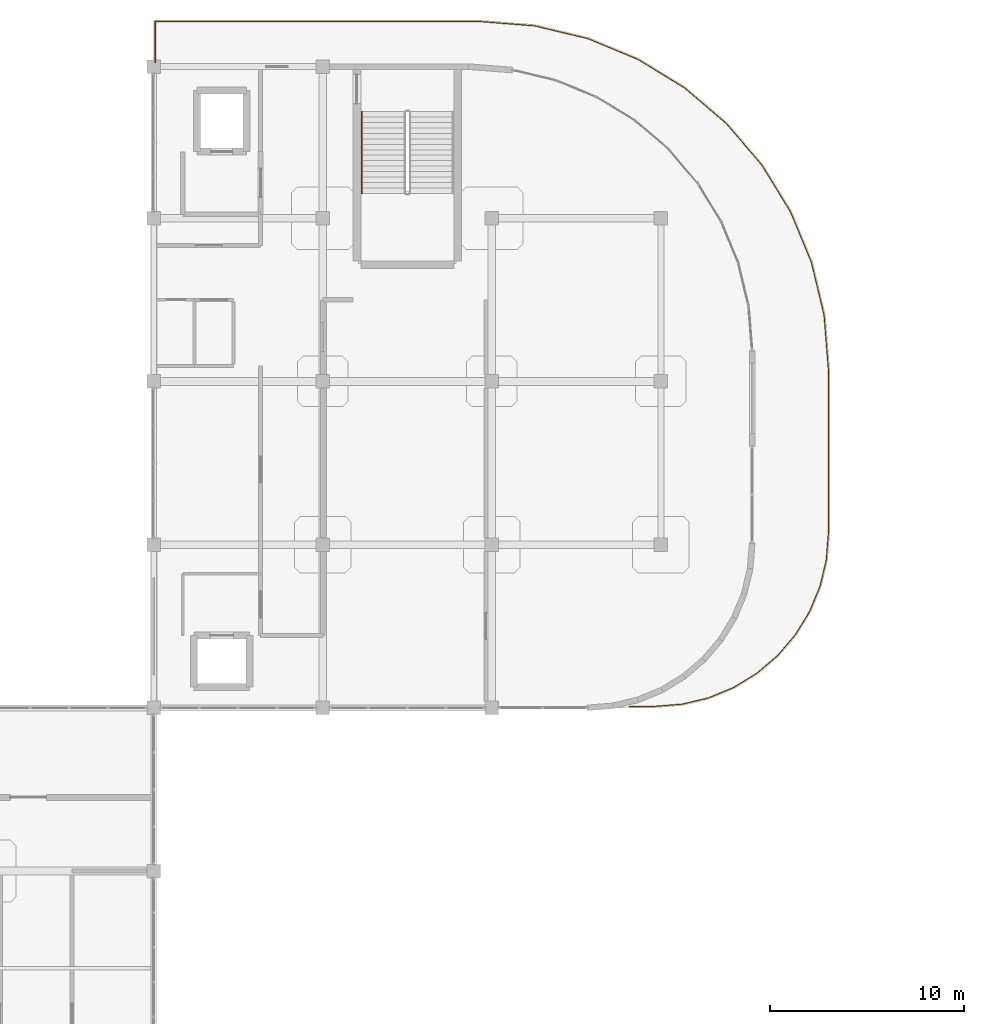
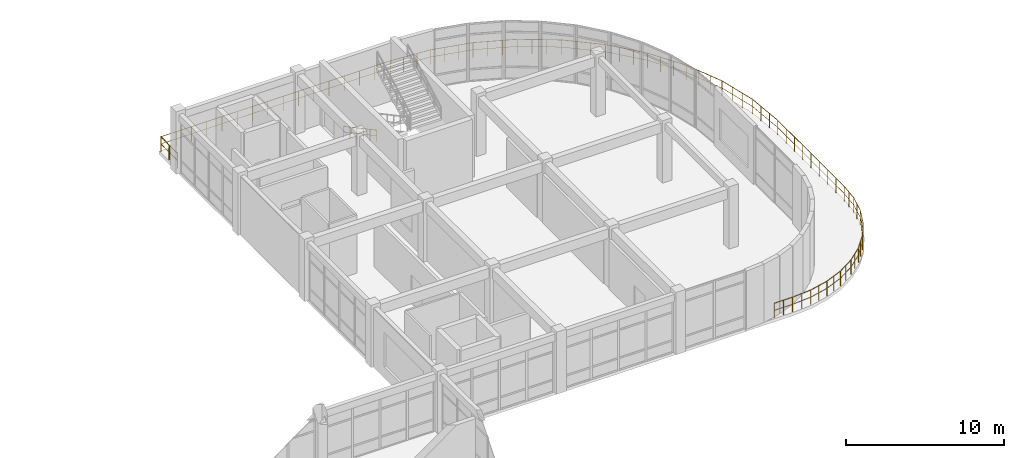
# One storey, part 74 of 76: 3 railings.
"""IFC4 building model written with IfcOpenShell, lengths in metres."""

from ifc_helpers import new_model, si_unit, derived_unit, direction, frame, origin, origin_2d, place, context, subcontext, project, spatial, circle, extrude, material, type_object, element, save


model = new_model("IFC4")

# Units and contexts
model_context = context("Model", 3, precision=1e-05, world=origin(), true_north=direction((0.0, 1.0)))
body_context = subcontext(model_context, "Body", "Model", "MODEL_VIEW")
ifc_project = project(units=[si_unit("LENGTHUNIT", "METRE"), si_unit("AREAUNIT", "SQUARE_METRE"), si_unit("VOLUMEUNIT", "CUBIC_METRE"), si_unit("PLANEANGLEUNIT", "RADIAN"), si_unit("MASSUNIT", "GRAM", prefix="KILO"), derived_unit("THERMALTRANSMITTANCEUNIT", [(si_unit("MASSUNIT", "GRAM", prefix="KILO"), 1), (si_unit("TIMEUNIT", "SECOND"), -3), (si_unit("THERMODYNAMICTEMPERATUREUNIT", "KELVIN"), -1)])], contexts=[model_context])

# Site, building, storey
site_placement = place(None, origin())
site = spatial("IfcSite", under=ifc_project, at=site_placement, CompositionType="ELEMENT")
building_placement = place(site_placement, origin())
building = spatial("IfcBuilding", under=site, at=building_placement, Name="Qinzheling Arcade Emporium", CompositionType="ELEMENT")
storey_placement = place(building_placement, frame((0.0, 0.0, 26.699951171875)))
storey = spatial("IfcBuildingStorey", under=building, at=storey_placement, Name="L06", CompositionType="ELEMENT", Elevation=26.699951171875)

# Railings
ifc_material_1 = material(Name="Architectural bronze rail and laminated safety glass", Category="glass")
railing_type_1 = type_object("IfcRailingType", Name="Curved Terrace Laminated Glass and Bronze Balustrade 1150", PredefinedType="BALUSTRADE", material=ifc_material_1)
railing_1_placement = place(storey_placement, frame((104.47998046875, 109.1201171875, 0.0)))
element("IfcRailing", 1, at=railing_1_placement, inside=storey, type_object=railing_type_1, Name="Terrace Balustrade RLG-TER-L06-016", PredefinedType="BALUSTRADE", context=body_context, shape_type="SweptSolid", body=[
    extrude(circle(Radius=0.02392578125, at=origin_2d()), frame((0.0, 0.0, 1.1259765625), z_axis=(1.0, 0.0, 0.0), x_axis=(0.0, 1.0, 0.0)), (0.0, 0.0, 1.0), 16.717041015625),
    extrude(circle(Radius=0.01611328125, at=origin_2d()), frame((0.0, 0.0, 0.574951171875), z_axis=(1.0, 0.0, 0.0), x_axis=(0.0, 1.0, 0.0)), (0.0, 0.0, 1.0), 16.717041015625),
    extrude(circle(Radius=0.02392578125, at=origin_2d()), frame((16.717041015625, 0.0, 1.1259765625), z_axis=(0.996907275649, -0.078586791241, 0.0), x_axis=(0.078586791241, 0.996907275649, 0.0)), (0.0, 0.0, 1.0), 2.814697265625),
    extrude(circle(Radius=0.01611328125, at=origin_2d()), frame((16.717041015625, 0.0, 0.574951171875), z_axis=(0.996907275649, -0.078586791241, 0.0), x_axis=(0.078586791241, 0.996907275649, 0.0)), (0.0, 0.0, 1.0), 2.814697265625),
    extrude(circle(Radius=0.02392578125, at=origin_2d()), frame((19.52294921875, -0.22119140625, 1.1259765625), z_axis=(0.972402275092, -0.23331055569, 0.0), x_axis=(0.23331055569, 0.972402275092, 0.0)), (0.0, 0.0, 1.0), 2.811767578125),
    extrude(circle(Radius=0.01611328125, at=origin_2d()), frame((19.52294921875, -0.22119140625, 0.574951171875), z_axis=(0.972402275092, -0.23331055569, 0.0), x_axis=(0.23331055569, 0.972402275092, 0.0)), (0.0, 0.0, 1.0), 2.811767578125),
    extrude(circle(Radius=0.02392578125, at=origin_2d()), frame((22.257080078125, -0.877197265625, 1.1259765625), z_axis=(0.923950200877, -0.382512779264, 0.0), x_axis=(0.382512779264, 0.923950200877, 0.0)), (0.0, 0.0, 1.0), 2.812744140625),
    extrude(circle(Radius=0.01611328125, at=origin_2d()), frame((22.257080078125, -0.877197265625, 0.574951171875), z_axis=(0.923950200877, -0.382512779264, 0.0), x_axis=(0.382512779264, 0.923950200877, 0.0)), (0.0, 0.0, 1.0), 2.812744140625),
    extrude(circle(Radius=0.02392578125, at=origin_2d()), frame((24.85595703125, -1.953125, 1.1259765625), z_axis=(0.852465203682, -0.522783967343, 0.0), x_axis=(0.522783967343, 0.852465203682, 0.0)), (0.0, 0.0, 1.0), 2.811767578125),
    extrude(circle(Radius=0.01611328125, at=origin_2d()), frame((24.85595703125, -1.953125, 0.574951171875), z_axis=(0.852465203682, -0.522783967343, 0.0), x_axis=(0.522783967343, 0.852465203682, 0.0)), (0.0, 0.0, 1.0), 2.811767578125),
    extrude(circle(Radius=0.02392578125, at=origin_2d()), frame((27.2529296875, -3.423095703125, 1.1259765625), z_axis=(0.760450500956, -0.649395900508, 0.0), x_axis=(0.649395900508, 0.760450500956, 0.0)), (0.0, 0.0, 1.0), 2.811767578125),
    extrude(circle(Radius=0.01611328125, at=origin_2d()), frame((27.2529296875, -3.423095703125, 0.574951171875), z_axis=(0.760450500956, -0.649395900508, 0.0), x_axis=(0.649395900508, 0.760450500956, 0.0)), (0.0, 0.0, 1.0), 2.811767578125),
    extrude(circle(Radius=0.02392578125, at=origin_2d()), frame((29.39111328125, -5.2490234375, 1.1259765625), z_axis=(0.649395900508, -0.760450500956, 0.0), x_axis=(0.760450500956, 0.649395900508, 0.0)), (0.0, 0.0, 1.0), 2.811767578125),
    extrude(circle(Radius=0.01611328125, at=origin_2d()), frame((29.39111328125, -5.2490234375, 0.574951171875), z_axis=(0.649395900508, -0.760450500956, 0.0), x_axis=(0.760450500956, 0.649395900508, 0.0)), (0.0, 0.0, 1.0), 2.811767578125),
    extrude(circle(Radius=0.02392578125, at=origin_2d()), frame((31.217041015625, -7.38720703125, 1.1259765625), z_axis=(0.522783967343, -0.852465203682, 0.0), x_axis=(0.852465203682, 0.522783967343, 0.0)), (0.0, 0.0, 1.0), 2.811767578125),
    extrude(circle(Radius=0.01611328125, at=origin_2d()), frame((31.217041015625, -7.38720703125, 0.574951171875), z_axis=(0.522783967343, -0.852465203682, 0.0), x_axis=(0.852465203682, 0.522783967343, 0.0)), (0.0, 0.0, 1.0), 2.811767578125),
    extrude(circle(Radius=0.02392578125, at=origin_2d()), frame((32.68701171875, -9.7841796875, 1.1259765625), z_axis=(0.382512779264, -0.923950200877, 0.0), x_axis=(0.923950200877, 0.382512779264, 0.0)), (0.0, 0.0, 1.0), 2.812744140625),
    extrude(circle(Radius=0.01611328125, at=origin_2d()), frame((32.68701171875, -9.7841796875, 0.574951171875), z_axis=(0.382512779264, -0.923950200877, 0.0), x_axis=(0.923950200877, 0.382512779264, 0.0)), (0.0, 0.0, 1.0), 2.812744140625),
    extrude(circle(Radius=0.02392578125, at=origin_2d()), frame((33.762939453125, -12.383056640625, 1.1259765625), z_axis=(0.23331055569, -0.972402275092, 0.0), x_axis=(0.972402275092, 0.23331055569, 0.0)), (0.0, 0.0, 1.0), 2.811767578125),
    extrude(circle(Radius=0.01611328125, at=origin_2d()), frame((33.762939453125, -12.383056640625, 0.574951171875), z_axis=(0.23331055569, -0.972402275092, 0.0), x_axis=(0.972402275092, 0.23331055569, 0.0)), (0.0, 0.0, 1.0), 2.811767578125),
    extrude(circle(Radius=0.02392578125, at=origin_2d()), frame((34.4189453125, -15.1171875, 1.1259765625), z_axis=(0.078586791241, -0.996907275649, 0.0), x_axis=(0.996907275649, 0.078586791241, 0.0)), (0.0, 0.0, 1.0), 2.814697265625),
    extrude(circle(Radius=0.01611328125, at=origin_2d()), frame((34.4189453125, -15.1171875, 0.574951171875), z_axis=(0.078586791241, -0.996907275649, 0.0), x_axis=(0.996907275649, 0.078586791241, 0.0)), (0.0, 0.0, 1.0), 2.814697265625),
    extrude(circle(Radius=0.02392578125, at=origin_2d()), frame((34.64013671875, -17.923095703125, 1.1259765625), z_axis=(0.0, -1.0, 0.0), x_axis=(1.0, 0.0, 0.0)), (0.0, 0.0, 1.0), 8.39404296875),
    extrude(circle(Radius=0.01611328125, at=origin_2d()), frame((34.64013671875, -17.923095703125, 0.574951171875), z_axis=(0.0, -1.0, 0.0), x_axis=(1.0, 0.0, 0.0)), (0.0, 0.0, 1.0), 8.39404296875),
    extrude(circle(Radius=0.02392578125, at=origin_2d()), frame((34.64013671875, -26.317138671875, 1.1259765625), z_axis=(-0.078520353189, -0.996912510773, 0.0), x_axis=(0.996912510773, -0.078520353189, 0.0)), (0.0, 0.0, 1.0), 1.40234375),
    extrude(circle(Radius=0.01611328125, at=origin_2d()), frame((34.64013671875, -26.317138671875, 0.574951171875), z_axis=(-0.078520353189, -0.996912510773, 0.0), x_axis=(0.996912510773, -0.078520353189, 0.0)), (0.0, 0.0, 1.0), 1.40234375),
    extrude(circle(Radius=0.02392578125, at=origin_2d()), frame((34.530029296875, -27.715087890625, 1.1259765625), z_axis=(-0.23287810231, -0.972505932868, 0.0), x_axis=(0.972505932868, -0.23287810231, 0.0)), (0.0, 0.0, 1.0), 1.399658203125),
    extrude(circle(Radius=0.01611328125, at=origin_2d()), frame((34.530029296875, -27.715087890625, 0.574951171875), z_axis=(-0.23287810231, -0.972505932868, 0.0), x_axis=(0.972505932868, -0.23287810231, 0.0)), (0.0, 0.0, 1.0), 1.399658203125),
    extrude(circle(Radius=0.02392578125, at=origin_2d()), frame((34.2041015625, -29.076171875, 1.1259765625), z_axis=(-0.38278283439, -0.923838352579, 0.0), x_axis=(0.923838352579, -0.38278283439, 0.0)), (0.0, 0.0, 1.0), 1.400634765625),
    extrude(circle(Radius=0.01611328125, at=origin_2d()), frame((34.2041015625, -29.076171875, 0.574951171875), z_axis=(-0.38278283439, -0.923838352579, 0.0), x_axis=(0.923838352579, -0.38278283439, 0.0)), (0.0, 0.0, 1.0), 1.400634765625),
    extrude(circle(Radius=0.02392578125, at=origin_2d()), frame((33.66796875, -30.3701171875, 1.1259765625), z_axis=(-0.522909666066, -0.852388104759, 0.0), x_axis=(0.852388104759, -0.522909666066, 0.0)), (0.0, 0.0, 1.0), 1.399658203125),
    extrude(circle(Radius=0.01611328125, at=origin_2d()), frame((33.66796875, -30.3701171875, 0.574951171875), z_axis=(-0.522909666066, -0.852388104759, 0.0), x_axis=(0.852388104759, -0.522909666066, 0.0)), (0.0, 0.0, 1.0), 1.399658203125),
    extrude(circle(Radius=0.02392578125, at=origin_2d()), frame((32.93603515625, -31.563232421875, 1.1259765625), z_axis=(-0.649540487032, -0.760327005772, 0.0), x_axis=(0.760327005772, -0.649540487032, 0.0)), (0.0, 0.0, 1.0), 1.3994140625),
    extrude(circle(Radius=0.01611328125, at=origin_2d()), frame((32.93603515625, -31.563232421875, 0.574951171875), z_axis=(-0.649540487032, -0.760327005772, 0.0), x_axis=(0.760327005772, -0.649540487032, 0.0)), (0.0, 0.0, 1.0), 1.3994140625),
    extrude(circle(Radius=0.02392578125, at=origin_2d()), frame((32.027099609375, -32.627197265625, 1.1259765625), z_axis=(-0.760327005772, -0.649540487032, 0.0), x_axis=(0.649540487032, -0.760327005772, 0.0)), (0.0, 0.0, 1.0), 1.3994140625),
    extrude(circle(Radius=0.01611328125, at=origin_2d()), frame((32.027099609375, -32.627197265625, 0.574951171875), z_axis=(-0.760327005772, -0.649540487032, 0.0), x_axis=(0.649540487032, -0.760327005772, 0.0)), (0.0, 0.0, 1.0), 1.3994140625),
    extrude(circle(Radius=0.02392578125, at=origin_2d()), frame((30.963134765625, -33.5361328125, 1.1259765625), z_axis=(-0.852388104759, -0.522909666066, 0.0), x_axis=(0.522909666066, -0.852388104759, 0.0)), (0.0, 0.0, 1.0), 1.399658203125),
    extrude(circle(Radius=0.01611328125, at=origin_2d()), frame((30.963134765625, -33.5361328125, 0.574951171875), z_axis=(-0.852388104759, -0.522909666066, 0.0), x_axis=(0.522909666066, -0.852388104759, 0.0)), (0.0, 0.0, 1.0), 1.399658203125),
    extrude(circle(Radius=0.02392578125, at=origin_2d()), frame((29.77001953125, -34.26806640625, 1.1259765625), z_axis=(-0.923838352579, -0.38278283439, 0.0), x_axis=(0.38278283439, -0.923838352579, 0.0)), (0.0, 0.0, 1.0), 1.400634765625),
    extrude(circle(Radius=0.01611328125, at=origin_2d()), frame((29.77001953125, -34.26806640625, 0.574951171875), z_axis=(-0.923838352579, -0.38278283439, 0.0), x_axis=(0.38278283439, -0.923838352579, 0.0)), (0.0, 0.0, 1.0), 1.400634765625),
    extrude(circle(Radius=0.02392578125, at=origin_2d()), frame((28.47607421875, -34.80419921875, 1.1259765625), z_axis=(-0.972505932868, -0.23287810231, 0.0), x_axis=(0.23287810231, -0.972505932868, 0.0)), (0.0, 0.0, 1.0), 1.399658203125),
    extrude(circle(Radius=0.01611328125, at=origin_2d()), frame((28.47607421875, -34.80419921875, 0.574951171875), z_axis=(-0.972505932868, -0.23287810231, 0.0), x_axis=(0.23287810231, -0.972505932868, 0.0)), (0.0, 0.0, 1.0), 1.399658203125),
    extrude(circle(Radius=0.02392578125, at=origin_2d()), frame((27.114990234375, -35.130126953125, 1.1259765625), z_axis=(-0.996912510773, -0.078520353189, 0.0), x_axis=(0.078520353189, -0.996912510773, 0.0)), (0.0, 0.0, 1.0), 1.40234375),
    extrude(circle(Radius=0.01611328125, at=origin_2d()), frame((27.114990234375, -35.130126953125, 0.574951171875), z_axis=(-0.996912510773, -0.078520353189, 0.0), x_axis=(0.078520353189, -0.996912510773, 0.0)), (0.0, 0.0, 1.0), 1.40234375),
    extrude(circle(Radius=0.02392578125, at=origin_2d()), frame((25.717041015625, -35.240234375, 1.1259765625), z_axis=(-1.0, 0.0, 0.0), x_axis=(0.0, -1.0, 0.0)), (0.0, 0.0, 1.0), 1.328125),
    extrude(circle(Radius=0.01611328125, at=origin_2d()), frame((25.717041015625, -35.240234375, 0.574951171875), z_axis=(-1.0, 0.0, 0.0), x_axis=(0.0, -1.0, 0.0)), (0.0, 0.0, 1.0), 1.328125),
    extrude(circle(Radius=0.02099609375, at=origin_2d()), origin(), (0.0, 0.0, 1.0), 1.101806640625),
    extrude(circle(Radius=0.02099609375, at=origin_2d()), frame((1.114501953125, 0.0, 0.0)), (0.0, 0.0, 1.0), 1.101806640625),
    extrude(circle(Radius=0.02099609375, at=origin_2d()), frame((2.22900390625, 0.0, 0.0)), (0.0, 0.0, 1.0), 1.101806640625),
    extrude(circle(Radius=0.02099609375, at=origin_2d()), frame((3.343505859375, 0.0, 0.0)), (0.0, 0.0, 1.0), 1.101806640625),
    extrude(circle(Radius=0.02099609375, at=origin_2d()), frame((4.457763671875, 0.0, 0.0)), (0.0, 0.0, 1.0), 1.101806640625),
    extrude(circle(Radius=0.02099609375, at=origin_2d()), frame((5.572265625, 0.0, 0.0)), (0.0, 0.0, 1.0), 1.101806640625),
    extrude(circle(Radius=0.02099609375, at=origin_2d()), frame((6.686767578125, 0.0, 0.0)), (0.0, 0.0, 1.0), 1.101806640625),
    extrude(circle(Radius=0.02099609375, at=origin_2d()), frame((7.80126953125, 0.0, 0.0)), (0.0, 0.0, 1.0), 1.101806640625),
    extrude(circle(Radius=0.02099609375, at=origin_2d()), frame((8.915771484375, 0.0, 0.0)), (0.0, 0.0, 1.0), 1.101806640625),
    extrude(circle(Radius=0.02099609375, at=origin_2d()), frame((10.0302734375, 0.0, 0.0)), (0.0, 0.0, 1.0), 1.101806640625),
    extrude(circle(Radius=0.02099609375, at=origin_2d()), frame((11.144775390625, 0.0, 0.0)), (0.0, 0.0, 1.0), 1.101806640625),
    extrude(circle(Radius=0.02099609375, at=origin_2d()), frame((12.25927734375, 0.0, 0.0)), (0.0, 0.0, 1.0), 1.101806640625),
    extrude(circle(Radius=0.02099609375, at=origin_2d()), frame((13.37353515625, 0.0, 0.0)), (0.0, 0.0, 1.0), 1.101806640625),
    extrude(circle(Radius=0.02099609375, at=origin_2d()), frame((14.488037109375, 0.0, 0.0)), (0.0, 0.0, 1.0), 1.101806640625),
    extrude(circle(Radius=0.02099609375, at=origin_2d()), frame((15.6025390625, 0.0, 0.0)), (0.0, 0.0, 1.0), 1.101806640625),
    extrude(circle(Radius=0.02099609375, at=origin_2d()), frame((16.717041015625, 0.0, 0.0)), (0.0, 0.0, 1.0), 1.101806640625),
    extrude(circle(Radius=0.02099609375, at=origin_2d()), frame((17.65234375, -0.07373046875, 0.0)), (0.0, 0.0, 1.0), 1.101806640625),
    extrude(circle(Radius=0.02099609375, at=origin_2d()), frame((18.587646484375, -0.1474609375, 0.0)), (0.0, 0.0, 1.0), 1.101806640625),
    extrude(circle(Radius=0.02099609375, at=origin_2d()), frame((19.52294921875, -0.22119140625, 0.0)), (0.0, 0.0, 1.0), 1.101806640625),
    extrude(circle(Radius=0.02099609375, at=origin_2d()), frame((20.434326171875, -0.43994140625, 0.0)), (0.0, 0.0, 1.0), 1.101806640625),
    extrude(circle(Radius=0.02099609375, at=origin_2d()), frame((21.345703125, -0.658447265625, 0.0)), (0.0, 0.0, 1.0), 1.101806640625),
    extrude(circle(Radius=0.02099609375, at=origin_2d()), frame((22.257080078125, -0.877197265625, 0.0)), (0.0, 0.0, 1.0), 1.101806640625),
    extrude(circle(Radius=0.02099609375, at=origin_2d()), frame((23.123291015625, -1.23583984375, 0.0)), (0.0, 0.0, 1.0), 1.101806640625),
    extrude(circle(Radius=0.02099609375, at=origin_2d()), frame((23.98974609375, -1.594482421875, 0.0)), (0.0, 0.0, 1.0), 1.101806640625),
    extrude(circle(Radius=0.02099609375, at=origin_2d()), frame((24.85595703125, -1.953125, 0.0)), (0.0, 0.0, 1.0), 1.101806640625),
    extrude(circle(Radius=0.02099609375, at=origin_2d()), frame((25.655029296875, -2.443115234375, 0.0)), (0.0, 0.0, 1.0), 1.101806640625),
    extrude(circle(Radius=0.02099609375, at=origin_2d()), frame((26.453857421875, -2.93310546875, 0.0)), (0.0, 0.0, 1.0), 1.101806640625),
    extrude(circle(Radius=0.02099609375, at=origin_2d()), frame((27.2529296875, -3.423095703125, 0.0)), (0.0, 0.0, 1.0), 1.101806640625),
    extrude(circle(Radius=0.02099609375, at=origin_2d()), frame((27.965576171875, -4.03173828125, 0.0)), (0.0, 0.0, 1.0), 1.101806640625),
    extrude(circle(Radius=0.02099609375, at=origin_2d()), frame((28.678466796875, -4.640380859375, 0.0)), (0.0, 0.0, 1.0), 1.101806640625),
    extrude(circle(Radius=0.02099609375, at=origin_2d()), frame((29.39111328125, -5.2490234375, 0.0)), (0.0, 0.0, 1.0), 1.101806640625),
    extrude(circle(Radius=0.02099609375, at=origin_2d()), frame((29.999755859375, -5.961669921875, 0.0)), (0.0, 0.0, 1.0), 1.101806640625),
    extrude(circle(Radius=0.02099609375, at=origin_2d()), frame((30.6083984375, -6.674560546875, 0.0)), (0.0, 0.0, 1.0), 1.101806640625),
    extrude(circle(Radius=0.02099609375, at=origin_2d()), frame((31.217041015625, -7.38720703125, 0.0)), (0.0, 0.0, 1.0), 1.101806640625),
    extrude(circle(Radius=0.02099609375, at=origin_2d()), frame((31.70703125, -8.186279296875, 0.0)), (0.0, 0.0, 1.0), 1.101806640625),
    extrude(circle(Radius=0.02099609375, at=origin_2d()), frame((32.197021484375, -8.985107421875, 0.0)), (0.0, 0.0, 1.0), 1.101806640625),
    extrude(circle(Radius=0.02099609375, at=origin_2d()), frame((32.68701171875, -9.7841796875, 0.0)), (0.0, 0.0, 1.0), 1.101806640625),
    extrude(circle(Radius=0.02099609375, at=origin_2d()), frame((33.045654296875, -10.650390625, 0.0)), (0.0, 0.0, 1.0), 1.101806640625),
    extrude(circle(Radius=0.02099609375, at=origin_2d()), frame((33.404296875, -11.516845703125, 0.0)), (0.0, 0.0, 1.0), 1.101806640625),
    extrude(circle(Radius=0.02099609375, at=origin_2d()), frame((33.762939453125, -12.383056640625, 0.0)), (0.0, 0.0, 1.0), 1.101806640625),
    extrude(circle(Radius=0.02099609375, at=origin_2d()), frame((33.981689453125, -13.29443359375, 0.0)), (0.0, 0.0, 1.0), 1.101806640625),
    extrude(circle(Radius=0.02099609375, at=origin_2d()), frame((34.2001953125, -14.205810546875, 0.0)), (0.0, 0.0, 1.0), 1.101806640625),
    extrude(circle(Radius=0.02099609375, at=origin_2d()), frame((34.4189453125, -15.1171875, 0.0)), (0.0, 0.0, 1.0), 1.101806640625),
    extrude(circle(Radius=0.02099609375, at=origin_2d()), frame((34.49267578125, -16.052490234375, 0.0)), (0.0, 0.0, 1.0), 1.101806640625),
    extrude(circle(Radius=0.02099609375, at=origin_2d()), frame((34.56640625, -16.98779296875, 0.0)), (0.0, 0.0, 1.0), 1.101806640625),
    extrude(circle(Radius=0.02099609375, at=origin_2d()), frame((34.64013671875, -17.923095703125, 0.0)), (0.0, 0.0, 1.0), 1.101806640625),
    extrude(circle(Radius=0.02099609375, at=origin_2d()), frame((34.64013671875, -18.972412109375, 0.0)), (0.0, 0.0, 1.0), 1.101806640625),
    extrude(circle(Radius=0.02099609375, at=origin_2d()), frame((34.64013671875, -20.021484375, 0.0)), (0.0, 0.0, 1.0), 1.101806640625),
    extrude(circle(Radius=0.02099609375, at=origin_2d()), frame((34.64013671875, -21.07080078125, 0.0)), (0.0, 0.0, 1.0), 1.101806640625),
    extrude(circle(Radius=0.02099609375, at=origin_2d()), frame((34.64013671875, -22.1201171875, 0.0)), (0.0, 0.0, 1.0), 1.101806640625),
    extrude(circle(Radius=0.02099609375, at=origin_2d()), frame((34.64013671875, -23.16943359375, 0.0)), (0.0, 0.0, 1.0), 1.101806640625),
    extrude(circle(Radius=0.02099609375, at=origin_2d()), frame((34.64013671875, -24.21875, 0.0)), (0.0, 0.0, 1.0), 1.101806640625),
    extrude(circle(Radius=0.02099609375, at=origin_2d()), frame((34.64013671875, -25.267822265625, 0.0)), (0.0, 0.0, 1.0), 1.101806640625),
    extrude(circle(Radius=0.02099609375, at=origin_2d()), frame((34.64013671875, -26.317138671875, 0.0)), (0.0, 0.0, 1.0), 1.101806640625),
    extrude(circle(Radius=0.02099609375, at=origin_2d()), frame((34.5849609375, -27.01611328125, 0.0)), (0.0, 0.0, 1.0), 1.101806640625),
    extrude(circle(Radius=0.02099609375, at=origin_2d()), frame((34.530029296875, -27.715087890625, 0.0)), (0.0, 0.0, 1.0), 1.101806640625),
    extrude(circle(Radius=0.02099609375, at=origin_2d()), frame((34.3671875, -28.3955078125, 0.0)), (0.0, 0.0, 1.0), 1.101806640625),
    extrude(circle(Radius=0.02099609375, at=origin_2d()), frame((34.2041015625, -29.076171875, 0.0)), (0.0, 0.0, 1.0), 1.101806640625),
    extrude(circle(Radius=0.02099609375, at=origin_2d()), frame((33.93603515625, -29.72314453125, 0.0)), (0.0, 0.0, 1.0), 1.101806640625),
    extrude(circle(Radius=0.02099609375, at=origin_2d()), frame((33.66796875, -30.3701171875, 0.0)), (0.0, 0.0, 1.0), 1.101806640625),
    extrude(circle(Radius=0.02099609375, at=origin_2d()), frame((33.302001953125, -30.966796875, 0.0)), (0.0, 0.0, 1.0), 1.101806640625),
    extrude(circle(Radius=0.02099609375, at=origin_2d()), frame((32.93603515625, -31.563232421875, 0.0)), (0.0, 0.0, 1.0), 1.101806640625),
    extrude(circle(Radius=0.02099609375, at=origin_2d()), frame((32.4814453125, -32.09521484375, 0.0)), (0.0, 0.0, 1.0), 1.101806640625),
    extrude(circle(Radius=0.02099609375, at=origin_2d()), frame((32.027099609375, -32.627197265625, 0.0)), (0.0, 0.0, 1.0), 1.101806640625),
    extrude(circle(Radius=0.02099609375, at=origin_2d()), frame((31.4951171875, -33.08154296875, 0.0)), (0.0, 0.0, 1.0), 1.101806640625),
    extrude(circle(Radius=0.02099609375, at=origin_2d()), frame((30.963134765625, -33.5361328125, 0.0)), (0.0, 0.0, 1.0), 1.101806640625),
    extrude(circle(Radius=0.02099609375, at=origin_2d()), frame((30.36669921875, -33.902099609375, 0.0)), (0.0, 0.0, 1.0), 1.101806640625),
    extrude(circle(Radius=0.02099609375, at=origin_2d()), frame((29.77001953125, -34.26806640625, 0.0)), (0.0, 0.0, 1.0), 1.101806640625),
    extrude(circle(Radius=0.02099609375, at=origin_2d()), frame((29.123046875, -34.5361328125, 0.0)), (0.0, 0.0, 1.0), 1.101806640625),
    extrude(circle(Radius=0.02099609375, at=origin_2d()), frame((28.47607421875, -34.80419921875, 0.0)), (0.0, 0.0, 1.0), 1.101806640625),
    extrude(circle(Radius=0.02099609375, at=origin_2d()), frame((27.79541015625, -34.96728515625, 0.0)), (0.0, 0.0, 1.0), 1.101806640625),
    extrude(circle(Radius=0.02099609375, at=origin_2d()), frame((27.114990234375, -35.130126953125, 0.0)), (0.0, 0.0, 1.0), 1.101806640625),
    extrude(circle(Radius=0.02099609375, at=origin_2d()), frame((26.416015625, -35.18505859375, 0.0)), (0.0, 0.0, 1.0), 1.101806640625),
    extrude(circle(Radius=0.02099609375, at=origin_2d()), frame((25.717041015625, -35.240234375, 0.0)), (0.0, 0.0, 1.0), 1.101806640625),
    extrude(circle(Radius=0.02099609375, at=origin_2d()), frame((25.052978515625, -35.240234375, 0.0)), (0.0, 0.0, 1.0), 1.101806640625),
    extrude(circle(Radius=0.02099609375, at=origin_2d()), frame((24.388916015625, -35.240234375, 0.0)), (0.0, 0.0, 1.0), 1.101806640625),
])
railing_2_placement = place(storey_placement, frame((104.47998046875, 107.02001953125, 0.0)))
element("IfcRailing", 2, at=railing_2_placement, inside=storey, type_object=railing_type_1, Name="Terrace Balustrade RLG-TER-L06-017", PredefinedType="BALUSTRADE", context=body_context, shape_type="SweptSolid", body=[
    extrude(circle(Radius=0.02392578125, at=origin_2d()), frame((0.0, 0.0, 1.1259765625), z_axis=(0.0, 1.0, 0.0), x_axis=(-1.0, 0.0, 0.0)), (0.0, 0.0, 1.0), 2.10009765625),
    extrude(circle(Radius=0.01611328125, at=origin_2d()), frame((0.0, 0.0, 0.574951171875), z_axis=(0.0, 1.0, 0.0), x_axis=(-1.0, 0.0, 0.0)), (0.0, 0.0, 1.0), 2.10009765625),
    extrude(circle(Radius=0.02099609375, at=origin_2d()), origin(), (0.0, 0.0, 1.0), 1.101806640625),
    extrude(circle(Radius=0.02099609375, at=origin_2d()), frame((0.0, 1.050048828125, 0.0)), (0.0, 0.0, 1.0), 1.101806640625),
    extrude(circle(Radius=0.02099609375, at=origin_2d()), frame((0.0, 2.10009765625, 0.0)), (0.0, 0.0, 1.0), 1.101806640625),
])
ifc_material_2 = material(Name="Brushed stainless steel 304", Category="steel")
railing_type_2 = type_object("IfcRailingType", Name="Stainless Steel Wall Handrail 900", PredefinedType="HANDRAIL", material=ifc_material_2)
railing_3_placement = place(storey_placement, frame((115.10498046875, 104.47998046875, 0.150146484375)))
element("IfcRailing", 3, at=railing_3_placement, inside=storey, type_object=railing_type_2, Name="L06 ST08 stair handrail 1", PredefinedType="HANDRAIL", context=body_context, shape_type="SweptSolid", body=[
    extrude(circle(Radius=0.02392578125, at=origin_2d()), frame((0.0, 0.0, 0.8759765625), z_axis=(0.0, -0.881477684796, 0.472225678258), x_axis=(1.0, 0.0, 0.0)), (0.0, 0.0, 1.0), 4.7646484375),
    extrude(circle(Radius=0.01611328125, at=origin_2d()), frame((0.0, 0.0, 0.449951171875), z_axis=(0.0, -0.881477684796, 0.472225678258), x_axis=(1.0, 0.0, 0.0)), (0.0, 0.0, 1.0), 4.7646484375),
    extrude(circle(Radius=0.02099609375, at=origin_2d()), origin(), (0.0, 0.0, 1.0), 0.851806640625),
    extrude(circle(Radius=0.02099609375, at=origin_2d()), frame((0.0, -0.840087890625, 0.449951171875)), (0.0, 0.0, 1.0), 0.851806640625),
    extrude(circle(Radius=0.02099609375, at=origin_2d()), frame((0.0, -1.679931640625, 0.89990234375)), (0.0, 0.0, 1.0), 0.851806640625),
    extrude(circle(Radius=0.02099609375, at=origin_2d()), frame((0.0, -2.52001953125, 1.35009765625)), (0.0, 0.0, 1.0), 0.851806640625),
    extrude(circle(Radius=0.02099609375, at=origin_2d()), frame((0.0, -3.35986328125, 1.800048828125)), (0.0, 0.0, 1.0), 0.851806640625),
    extrude(circle(Radius=0.02099609375, at=origin_2d()), frame((0.0, -4.199951171875, 2.25)), (0.0, 0.0, 1.0), 0.851806640625),
])

save(model, "model.ifc")
